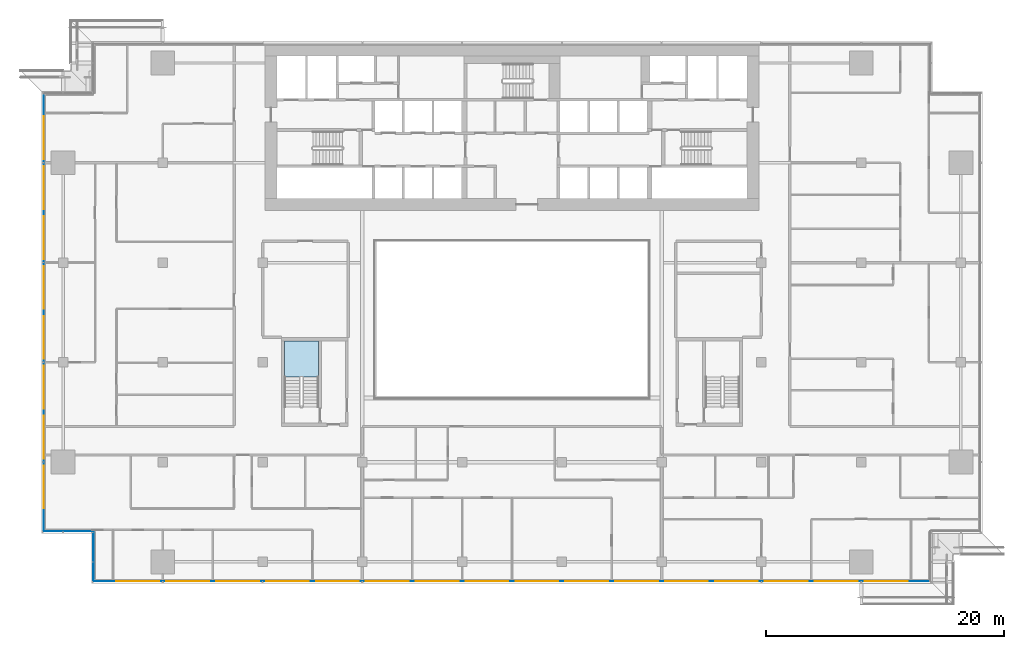
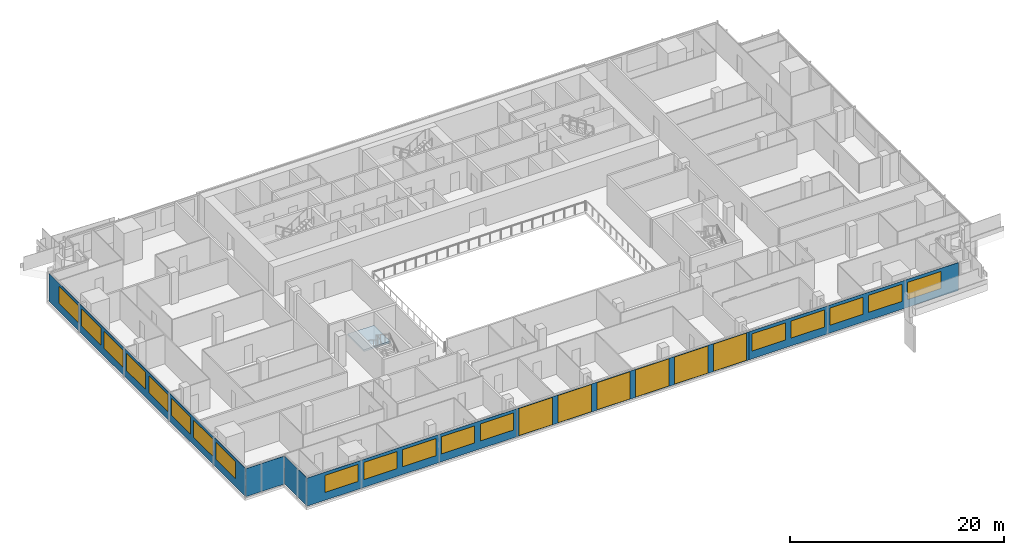
# One storey, part 16 of 30: 24 windows, 6 plates, 1 slab, 24 openings, 5 elements without a shape of their own.
"""IFC4 building model written with IfcOpenShell, lengths in metres."""

from ifc_helpers import new_model, si_unit, direction, frame, frame_2d, origin, place, context, subcontext, project, spatial, polyline, rectangle, outline, extrude, material, layer, layer_set, type_object, element, fill, aggregate, save


model = new_model("IFC4")

# Units and contexts
model_context = context("Model", 3, precision=1e-05, world=origin(), true_north=direction((0.0, 1.0)))
body_context = subcontext(model_context, "Body", "Model", "MODEL_VIEW")
ifc_project = project(units=[si_unit("LENGTHUNIT", "METRE"), si_unit("AREAUNIT", "SQUARE_METRE"), si_unit("VOLUMEUNIT", "CUBIC_METRE"), si_unit("PLANEANGLEUNIT", "RADIAN"), si_unit("MASSUNIT", "GRAM", prefix="KILO")], contexts=[model_context])

# Site, building, storey
site_placement = place(None, origin())
site = spatial("IfcSite", under=ifc_project, at=site_placement, CompositionType="ELEMENT")
building_placement = place(site_placement, origin())
building = spatial("IfcBuilding", under=site, at=building_placement, Name="Saffron Gate Tower", CompositionType="ELEMENT")
storey_placement = place(building_placement, frame((0.0, 0.0, 127.64990234375)))
storey = spatial("IfcBuildingStorey", under=building, at=storey_placement, Name="L30", CompositionType="ELEMENT", Elevation=127.64990234375)

# Curtain wall, plates, openings, windows
ifc_material_1 = material(Name="Aluminium, bronze anodised", Category="aluminium")
curtain_wall_type_1 = type_object("IfcCurtainWallType", Name="CWS1 curtain wall front facade", PredefinedType="NOTDEFINED", material=ifc_material_1)
curtain_wall_1_placement = place(storey_placement, origin())
curtain_wall_1 = element("IfcCurtainWall", 1, at=curtain_wall_1_placement, inside=storey, type_object=curtain_wall_type_1, Name="CWS1 run 1", PredefinedType="NOTDEFINED")
ifc_material_2 = material(Name="Clear low-iron laminated glass", Category="glass")
ifc_layer_1 = layer(ifc_material_2, 0.028076171875)
ifc_layer_set_1 = layer_set([ifc_layer_1], Name="CWS1 clear glass")
plate_type_1 = type_object("IfcPlateType", Name="CWS1 clear glass", PredefinedType="CURTAIN_PANEL", material=ifc_layer_set_1)
plate_1_placement = place(storey_placement, frame((75.030029296875, 30.174072265625, 0.0), z_axis=(0.0, 0.0, 1.0), x_axis=(1.0, 0.0, 0.0)))
plate_1 = element("IfcPlate", 2, at=plate_1_placement, type_object=plate_type_1, Name="CWS1 clear glass panel", PredefinedType="CURTAIN_PANEL", context=body_context, shape_type="SweptSolid", body=[
    extrude(rectangle(XDim=25.139892578125, YDim=0.028076171875, at=frame_2d((12.56982421875, 0.0))), origin(), (0.0, 0.0, 1.0), 3.2001953125),
])
opening_1_placement = place(plate_1_placement, frame((0.27001953125, 0.0, 0.050048828125)))
opening_1 = element("IfcOpeningElement", 3, at=opening_1_placement, cuts=plate_1, Name="Opening WA", PredefinedType="OPENING", context=body_context, shape_type="SweptSolid", body=[
    extrude(rectangle(XDim=3.60009765625, YDim=3.10009765625, at=frame_2d((1.800048828125, 1.550048828125))), frame((0.0, 0.02392578125, 0.0), z_axis=(0.0, -1.0, 0.0), x_axis=(1.0, 0.0, 0.0)), (0.0, 0.0, 1.0), 0.048095703125),
])
opening_2_placement = place(plate_1_placement, frame((4.469970703125, 0.0, 0.050048828125)))
opening_2 = element("IfcOpeningElement", 4, at=opening_2_placement, cuts=plate_1, Name="Opening WA", PredefinedType="OPENING", context=body_context, shape_type="SweptSolid", body=[
    extrude(rectangle(XDim=3.60009765625, YDim=3.10009765625, at=frame_2d((1.800048828125, 1.550048828125))), frame((0.0, 0.02392578125, 0.0), z_axis=(0.0, -1.0, 0.0), x_axis=(1.0, 0.0, 0.0)), (0.0, 0.0, 1.0), 0.048095703125),
])
opening_3_placement = place(plate_1_placement, frame((8.669921875, 0.0, 0.050048828125)))
opening_3 = element("IfcOpeningElement", 5, at=opening_3_placement, cuts=plate_1, Name="Opening WA", PredefinedType="OPENING", context=body_context, shape_type="SweptSolid", body=[
    extrude(rectangle(XDim=3.60009765625, YDim=3.10009765625, at=frame_2d((1.800048828125, 1.550048828125))), frame((0.0, 0.02392578125, 0.0), z_axis=(0.0, -1.0, 0.0), x_axis=(1.0, 0.0, 0.0)), (0.0, 0.0, 1.0), 0.048095703125),
])
opening_4_placement = place(plate_1_placement, frame((12.8701171875, 0.0, 0.050048828125)))
opening_4 = element("IfcOpeningElement", 6, at=opening_4_placement, cuts=plate_1, Name="Opening WA", PredefinedType="OPENING", context=body_context, shape_type="SweptSolid", body=[
    extrude(rectangle(XDim=3.60009765625, YDim=3.10009765625, at=frame_2d((1.800048828125, 1.550048828125))), frame((0.0, 0.02392578125, 0.0), z_axis=(0.0, -1.0, 0.0), x_axis=(1.0, 0.0, 0.0)), (0.0, 0.0, 1.0), 0.048095703125),
])
opening_5_placement = place(plate_1_placement, frame((17.070068359375, 0.0, 0.050048828125)))
opening_5 = element("IfcOpeningElement", 7, at=opening_5_placement, cuts=plate_1, Name="Opening WA", PredefinedType="OPENING", context=body_context, shape_type="SweptSolid", body=[
    extrude(rectangle(XDim=3.60009765625, YDim=3.10009765625, at=frame_2d((1.800048828125, 1.550048828125))), frame((0.0, 0.02392578125, 0.0), z_axis=(0.0, -1.0, 0.0), x_axis=(1.0, 0.0, 0.0)), (0.0, 0.0, 1.0), 0.048095703125),
])
opening_6_placement = place(plate_1_placement, frame((21.27001953125, 0.0, 0.050048828125)))
opening_6 = element("IfcOpeningElement", 8, at=opening_6_placement, cuts=plate_1, Name="Opening WA", PredefinedType="OPENING", context=body_context, shape_type="SweptSolid", body=[
    extrude(rectangle(XDim=3.60009765625, YDim=3.10009765625, at=frame_2d((1.800048828125, 1.550048828125))), frame((0.0, 0.02392578125, 0.0), z_axis=(0.0, -1.0, 0.0), x_axis=(1.0, 0.0, 0.0)), (0.0, 0.0, 1.0), 0.048095703125),
])
ifc_material_3 = material(Name="Clear low-iron laminated glass in bronze frame", Category="glass")
ifc_layer_2 = layer(ifc_material_3, 0.06005859375)
ifc_layer_set_2 = layer_set([ifc_layer_2], Name="WA operable atrium unit 3600x3100")
window_type_1 = type_object("IfcWindowType", Name="WA operable atrium unit 3600x3100", PartitioningType="DOUBLE_PANEL_HORIZONTAL", PredefinedType="WINDOW", material=ifc_layer_set_2)
window_1_placement = place(opening_1_placement, origin())
window_1 = element("IfcWindow", 9, at=window_1_placement, type_object=window_type_1, Name="WA operable atrium unit", OverallHeight=3.10009765625, OverallWidth=3.60009765625, PartitioningType="SINGLE_PANEL", PredefinedType="WINDOW", context=body_context, shape_type="SweptSolid", body=[
    extrude(rectangle(XDim=3.60009765625, YDim=3.10009765625, at=frame_2d((1.800048828125, 1.550048828125))), frame((0.0, 0.013671875, 0.0), z_axis=(0.0, -1.0, 0.0), x_axis=(1.0, 0.0, 0.0)), (0.0, 0.0, 1.0), 0.027587890625),
])
fill(opening_1, window_1)
window_2_placement = place(opening_2_placement, origin())
window_2 = element("IfcWindow", 10, at=window_2_placement, type_object=window_type_1, Name="WA operable atrium unit", OverallHeight=3.10009765625, OverallWidth=3.60009765625, PartitioningType="SINGLE_PANEL", PredefinedType="WINDOW", context=body_context, shape_type="SweptSolid", body=[
    extrude(rectangle(XDim=3.60009765625, YDim=3.10009765625, at=frame_2d((1.800048828125, 1.550048828125))), frame((0.0, 0.013671875, 0.0), z_axis=(0.0, -1.0, 0.0), x_axis=(1.0, 0.0, 0.0)), (0.0, 0.0, 1.0), 0.027587890625),
])
fill(opening_2, window_2)
window_3_placement = place(opening_3_placement, origin())
window_3 = element("IfcWindow", 11, at=window_3_placement, type_object=window_type_1, Name="WA operable atrium unit", OverallHeight=3.10009765625, OverallWidth=3.60009765625, PartitioningType="SINGLE_PANEL", PredefinedType="WINDOW", context=body_context, shape_type="SweptSolid", body=[
    extrude(rectangle(XDim=3.60009765625, YDim=3.10009765625, at=frame_2d((1.800048828125, 1.550048828125))), frame((0.0, 0.013671875, 0.0), z_axis=(0.0, -1.0, 0.0), x_axis=(1.0, 0.0, 0.0)), (0.0, 0.0, 1.0), 0.027587890625),
])
fill(opening_3, window_3)
window_4_placement = place(opening_4_placement, origin())
window_4 = element("IfcWindow", 12, at=window_4_placement, type_object=window_type_1, Name="WA operable atrium unit", OverallHeight=3.10009765625, OverallWidth=3.60009765625, PartitioningType="SINGLE_PANEL", PredefinedType="WINDOW", context=body_context, shape_type="SweptSolid", body=[
    extrude(rectangle(XDim=3.60009765625, YDim=3.10009765625, at=frame_2d((1.800048828125, 1.550048828125))), frame((0.0, 0.013671875, 0.0), z_axis=(0.0, -1.0, 0.0), x_axis=(1.0, 0.0, 0.0)), (0.0, 0.0, 1.0), 0.027587890625),
])
fill(opening_4, window_4)
window_5_placement = place(opening_5_placement, origin())
window_5 = element("IfcWindow", 13, at=window_5_placement, type_object=window_type_1, Name="WA operable atrium unit", OverallHeight=3.10009765625, OverallWidth=3.60009765625, PartitioningType="SINGLE_PANEL", PredefinedType="WINDOW", context=body_context, shape_type="SweptSolid", body=[
    extrude(rectangle(XDim=3.60009765625, YDim=3.10009765625, at=frame_2d((1.800048828125, 1.550048828125))), frame((0.0, 0.013671875, 0.0), z_axis=(0.0, -1.0, 0.0), x_axis=(1.0, 0.0, 0.0)), (0.0, 0.0, 1.0), 0.027587890625),
])
fill(opening_5, window_5)
window_6_placement = place(opening_6_placement, origin())
window_6 = element("IfcWindow", 14, at=window_6_placement, type_object=window_type_1, Name="WA operable atrium unit", OverallHeight=3.10009765625, OverallWidth=3.60009765625, PartitioningType="SINGLE_PANEL", PredefinedType="WINDOW", context=body_context, shape_type="SweptSolid", body=[
    extrude(rectangle(XDim=3.60009765625, YDim=3.10009765625, at=frame_2d((1.800048828125, 1.550048828125))), frame((0.0, 0.013671875, 0.0), z_axis=(0.0, -1.0, 0.0), x_axis=(1.0, 0.0, 0.0)), (0.0, 0.0, 1.0), 0.027587890625),
])
fill(opening_6, window_6)
ifc_material_4 = material(Name="Fritted bronze-tinted laminated glass", Category="glass")
ifc_layer_3 = layer(ifc_material_4, 0.028076171875)
ifc_layer_set_3 = layer_set([ifc_layer_3], Name="CWS1 fixed glass")
plate_type_2 = type_object("IfcPlateType", Name="CWS1 fixed glass", PredefinedType="CURTAIN_PANEL", material=ifc_layer_set_3)
plate_2_placement = place(storey_placement, frame((52.387939453125, 30.174072265625, 0.0), z_axis=(0.0, 0.0, 1.0), x_axis=(1.0, 0.0, 0.0)))
plate_2 = element("IfcPlate", 15, at=plate_2_placement, type_object=plate_type_2, Name="CWS1 glass panel", PredefinedType="CURTAIN_PANEL", context=body_context, shape_type="SweptSolid", body=[
    extrude(rectangle(XDim=22.64208984375, YDim=0.028076171875, at=frame_2d((11.321044921875, 0.0))), origin(), (0.0, 0.0, 1.0), 3.2001953125),
])
opening_7_placement = place(plate_2_placement, frame((1.912109375, 0.0, 0.89990234375)))
opening_7 = element("IfcOpeningElement", 16, at=opening_7_placement, cuts=plate_2, Name="Opening W1", PredefinedType="OPENING", context=body_context, shape_type="SweptSolid", body=[
    extrude(rectangle(XDim=3.60009765625, YDim=1.949951171875, at=frame_2d((1.800048828125, 0.97509765625))), frame((0.0, 0.02392578125, 0.0), z_axis=(0.0, -1.0, 0.0), x_axis=(1.0, 0.0, 0.0)), (0.0, 0.0, 1.0), 0.048095703125),
])
opening_8_placement = place(plate_2_placement, frame((6.112060546875, 0.0, 0.89990234375)))
opening_8 = element("IfcOpeningElement", 17, at=opening_8_placement, cuts=plate_2, Name="Opening W1", PredefinedType="OPENING", context=body_context, shape_type="SweptSolid", body=[
    extrude(rectangle(XDim=3.60009765625, YDim=1.949951171875, at=frame_2d((1.800048828125, 0.97509765625))), frame((0.0, 0.02392578125, 0.0), z_axis=(0.0, -1.0, 0.0), x_axis=(1.0, 0.0, 0.0)), (0.0, 0.0, 1.0), 0.048095703125),
])
opening_9_placement = place(plate_2_placement, frame((10.31201171875, 0.0, 0.89990234375)))
opening_9 = element("IfcOpeningElement", 18, at=opening_9_placement, cuts=plate_2, Name="Opening W1", PredefinedType="OPENING", context=body_context, shape_type="SweptSolid", body=[
    extrude(rectangle(XDim=3.60009765625, YDim=1.949951171875, at=frame_2d((1.800048828125, 0.97509765625))), frame((0.0, 0.02392578125, 0.0), z_axis=(0.0, -1.0, 0.0), x_axis=(1.0, 0.0, 0.0)), (0.0, 0.0, 1.0), 0.048095703125),
])
opening_10_placement = place(plate_2_placement, frame((14.511962890625, 0.0, 0.89990234375)))
opening_10 = element("IfcOpeningElement", 19, at=opening_10_placement, cuts=plate_2, Name="Opening W1", PredefinedType="OPENING", context=body_context, shape_type="SweptSolid", body=[
    extrude(rectangle(XDim=3.60009765625, YDim=1.949951171875, at=frame_2d((1.800048828125, 0.97509765625))), frame((0.0, 0.02392578125, 0.0), z_axis=(0.0, -1.0, 0.0), x_axis=(1.0, 0.0, 0.0)), (0.0, 0.0, 1.0), 0.048095703125),
])
opening_11_placement = place(plate_2_placement, frame((18.7119140625, 0.0, 0.89990234375)))
opening_11 = element("IfcOpeningElement", 20, at=opening_11_placement, cuts=plate_2, Name="Opening W1", PredefinedType="OPENING", context=body_context, shape_type="SweptSolid", body=[
    extrude(rectangle(XDim=3.60009765625, YDim=1.949951171875, at=frame_2d((1.800048828125, 0.97509765625))), frame((0.0, 0.02392578125, 0.0), z_axis=(0.0, -1.0, 0.0), x_axis=(1.0, 0.0, 0.0)), (0.0, 0.0, 1.0), 0.048095703125),
])
ifc_material_5 = material(Name="Fritted bronze-tinted laminated glass in bronze frame", Category="glass")
ifc_layer_4 = layer(ifc_material_5, 0.06005859375)
ifc_layer_set_4 = layer_set([ifc_layer_4], Name="W1 operable panel 3600x1950")
window_type_2 = type_object("IfcWindowType", Name="W1 operable panel 3600x1950", PartitioningType="DOUBLE_PANEL_HORIZONTAL", PredefinedType="WINDOW", material=ifc_layer_set_4)
window_7_placement = place(opening_7_placement, origin())
window_7 = element("IfcWindow", 21, at=window_7_placement, type_object=window_type_2, Name="W1 operable panel", OverallHeight=1.949951171875, OverallWidth=3.60009765625, PartitioningType="SINGLE_PANEL", PredefinedType="WINDOW", context=body_context, shape_type="SweptSolid", body=[
    extrude(rectangle(XDim=3.60009765625, YDim=1.949951171875, at=frame_2d((1.800048828125, 0.97509765625))), frame((0.0, 0.013671875, 0.0), z_axis=(0.0, -1.0, 0.0), x_axis=(1.0, 0.0, 0.0)), (0.0, 0.0, 1.0), 0.027587890625),
])
fill(opening_7, window_7)
window_8_placement = place(opening_8_placement, origin())
window_8 = element("IfcWindow", 22, at=window_8_placement, type_object=window_type_2, Name="W1 operable panel", OverallHeight=1.949951171875, OverallWidth=3.60009765625, PartitioningType="SINGLE_PANEL", PredefinedType="WINDOW", context=body_context, shape_type="SweptSolid", body=[
    extrude(rectangle(XDim=3.60009765625, YDim=1.949951171875, at=frame_2d((1.800048828125, 0.97509765625))), frame((0.0, 0.013671875, 0.0), z_axis=(0.0, -1.0, 0.0), x_axis=(1.0, 0.0, 0.0)), (0.0, 0.0, 1.0), 0.027587890625),
])
fill(opening_8, window_8)
window_9_placement = place(opening_9_placement, origin())
window_9 = element("IfcWindow", 23, at=window_9_placement, type_object=window_type_2, Name="W1 operable panel", OverallHeight=1.949951171875, OverallWidth=3.60009765625, PartitioningType="SINGLE_PANEL", PredefinedType="WINDOW", context=body_context, shape_type="SweptSolid", body=[
    extrude(rectangle(XDim=3.60009765625, YDim=1.949951171875, at=frame_2d((1.800048828125, 0.97509765625))), frame((0.0, 0.013671875, 0.0), z_axis=(0.0, -1.0, 0.0), x_axis=(1.0, 0.0, 0.0)), (0.0, 0.0, 1.0), 0.027587890625),
])
fill(opening_9, window_9)
window_10_placement = place(opening_10_placement, origin())
window_10 = element("IfcWindow", 24, at=window_10_placement, type_object=window_type_2, Name="W1 operable panel", OverallHeight=1.949951171875, OverallWidth=3.60009765625, PartitioningType="SINGLE_PANEL", PredefinedType="WINDOW", context=body_context, shape_type="SweptSolid", body=[
    extrude(rectangle(XDim=3.60009765625, YDim=1.949951171875, at=frame_2d((1.800048828125, 0.97509765625))), frame((0.0, 0.013671875, 0.0), z_axis=(0.0, -1.0, 0.0), x_axis=(1.0, 0.0, 0.0)), (0.0, 0.0, 1.0), 0.027587890625),
])
fill(opening_10, window_10)
window_11_placement = place(opening_11_placement, origin())
window_11 = element("IfcWindow", 25, at=window_11_placement, type_object=window_type_2, Name="W1 operable panel", OverallHeight=1.949951171875, OverallWidth=3.60009765625, PartitioningType="SINGLE_PANEL", PredefinedType="WINDOW", context=body_context, shape_type="SweptSolid", body=[
    extrude(rectangle(XDim=3.60009765625, YDim=1.949951171875, at=frame_2d((1.800048828125, 0.97509765625))), frame((0.0, 0.013671875, 0.0), z_axis=(0.0, -1.0, 0.0), x_axis=(1.0, 0.0, 0.0)), (0.0, 0.0, 1.0), 0.027587890625),
])
fill(opening_11, window_11)
plate_3_placement = place(storey_placement, frame((100.169921875, 30.174072265625, 0.0), z_axis=(0.0, 0.0, 1.0), x_axis=(1.0, 0.0, 0.0)))
plate_3 = element("IfcPlate", 26, at=plate_3_placement, type_object=plate_type_2, Name="CWS1 glass panel", PredefinedType="CURTAIN_PANEL", context=body_context, shape_type="SweptSolid", body=[
    extrude(rectangle(XDim=22.64208984375, YDim=0.028076171875, at=frame_2d((11.321044921875, 0.0))), origin(), (0.0, 0.0, 1.0), 3.2001953125),
])
opening_12_placement = place(plate_3_placement, frame((0.330078125, 0.0, 0.89990234375)))
opening_12 = element("IfcOpeningElement", 27, at=opening_12_placement, cuts=plate_3, Name="Opening W1", PredefinedType="OPENING", context=body_context, shape_type="SweptSolid", body=[
    extrude(rectangle(XDim=3.60009765625, YDim=1.949951171875, at=frame_2d((1.800048828125, 0.97509765625))), frame((0.0, 0.02392578125, 0.0), z_axis=(0.0, -1.0, 0.0), x_axis=(1.0, 0.0, 0.0)), (0.0, 0.0, 1.0), 0.048095703125),
])
opening_13_placement = place(plate_3_placement, frame((4.530029296875, 0.0, 0.89990234375)))
opening_13 = element("IfcOpeningElement", 28, at=opening_13_placement, cuts=plate_3, Name="Opening W1", PredefinedType="OPENING", context=body_context, shape_type="SweptSolid", body=[
    extrude(rectangle(XDim=3.60009765625, YDim=1.949951171875, at=frame_2d((1.800048828125, 0.97509765625))), frame((0.0, 0.02392578125, 0.0), z_axis=(0.0, -1.0, 0.0), x_axis=(1.0, 0.0, 0.0)), (0.0, 0.0, 1.0), 0.048095703125),
])
opening_14_placement = place(plate_3_placement, frame((8.72998046875, 0.0, 0.89990234375)))
opening_14 = element("IfcOpeningElement", 29, at=opening_14_placement, cuts=plate_3, Name="Opening W1", PredefinedType="OPENING", context=body_context, shape_type="SweptSolid", body=[
    extrude(rectangle(XDim=3.60009765625, YDim=1.949951171875, at=frame_2d((1.800048828125, 0.97509765625))), frame((0.0, 0.02392578125, 0.0), z_axis=(0.0, -1.0, 0.0), x_axis=(1.0, 0.0, 0.0)), (0.0, 0.0, 1.0), 0.048095703125),
])
opening_15_placement = place(plate_3_placement, frame((12.929931640625, 0.0, 0.89990234375)))
opening_15 = element("IfcOpeningElement", 30, at=opening_15_placement, cuts=plate_3, Name="Opening W1", PredefinedType="OPENING", context=body_context, shape_type="SweptSolid", body=[
    extrude(rectangle(XDim=3.60009765625, YDim=1.949951171875, at=frame_2d((1.800048828125, 0.97509765625))), frame((0.0, 0.02392578125, 0.0), z_axis=(0.0, -1.0, 0.0), x_axis=(1.0, 0.0, 0.0)), (0.0, 0.0, 1.0), 0.048095703125),
])
opening_16_placement = place(plate_3_placement, frame((17.1298828125, 0.0, 0.89990234375)))
opening_16 = element("IfcOpeningElement", 31, at=opening_16_placement, cuts=plate_3, Name="Opening W1", PredefinedType="OPENING", context=body_context, shape_type="SweptSolid", body=[
    extrude(rectangle(XDim=3.60009765625, YDim=1.949951171875, at=frame_2d((1.800048828125, 0.97509765625))), frame((0.0, 0.02392578125, 0.0), z_axis=(0.0, -1.0, 0.0), x_axis=(1.0, 0.0, 0.0)), (0.0, 0.0, 1.0), 0.048095703125),
])
window_12_placement = place(opening_12_placement, origin())
window_12 = element("IfcWindow", 32, at=window_12_placement, type_object=window_type_2, Name="W1 operable panel", OverallHeight=1.949951171875, OverallWidth=3.60009765625, PartitioningType="SINGLE_PANEL", PredefinedType="WINDOW", context=body_context, shape_type="SweptSolid", body=[
    extrude(rectangle(XDim=3.60009765625, YDim=1.949951171875, at=frame_2d((1.800048828125, 0.97509765625))), frame((0.0, 0.013671875, 0.0), z_axis=(0.0, -1.0, 0.0), x_axis=(1.0, 0.0, 0.0)), (0.0, 0.0, 1.0), 0.027587890625),
])
fill(opening_12, window_12)
window_13_placement = place(opening_13_placement, origin())
window_13 = element("IfcWindow", 33, at=window_13_placement, type_object=window_type_2, Name="W1 operable panel", OverallHeight=1.949951171875, OverallWidth=3.60009765625, PartitioningType="SINGLE_PANEL", PredefinedType="WINDOW", context=body_context, shape_type="SweptSolid", body=[
    extrude(rectangle(XDim=3.60009765625, YDim=1.949951171875, at=frame_2d((1.800048828125, 0.97509765625))), frame((0.0, 0.013671875, 0.0), z_axis=(0.0, -1.0, 0.0), x_axis=(1.0, 0.0, 0.0)), (0.0, 0.0, 1.0), 0.027587890625),
])
fill(opening_13, window_13)
window_14_placement = place(opening_14_placement, origin())
window_14 = element("IfcWindow", 34, at=window_14_placement, type_object=window_type_2, Name="W1 operable panel", OverallHeight=1.949951171875, OverallWidth=3.60009765625, PartitioningType="SINGLE_PANEL", PredefinedType="WINDOW", context=body_context, shape_type="SweptSolid", body=[
    extrude(rectangle(XDim=3.60009765625, YDim=1.949951171875, at=frame_2d((1.800048828125, 0.97509765625))), frame((0.0, 0.013671875, 0.0), z_axis=(0.0, -1.0, 0.0), x_axis=(1.0, 0.0, 0.0)), (0.0, 0.0, 1.0), 0.027587890625),
])
fill(opening_14, window_14)
window_15_placement = place(opening_15_placement, origin())
window_15 = element("IfcWindow", 35, at=window_15_placement, type_object=window_type_2, Name="W1 operable panel", OverallHeight=1.949951171875, OverallWidth=3.60009765625, PartitioningType="SINGLE_PANEL", PredefinedType="WINDOW", context=body_context, shape_type="SweptSolid", body=[
    extrude(rectangle(XDim=3.60009765625, YDim=1.949951171875, at=frame_2d((1.800048828125, 0.97509765625))), frame((0.0, 0.013671875, 0.0), z_axis=(0.0, -1.0, 0.0), x_axis=(1.0, 0.0, 0.0)), (0.0, 0.0, 1.0), 0.027587890625),
])
fill(opening_15, window_15)
window_16_placement = place(opening_16_placement, origin())
window_16 = element("IfcWindow", 36, at=window_16_placement, type_object=window_type_2, Name="W1 operable panel", OverallHeight=1.949951171875, OverallWidth=3.60009765625, PartitioningType="SINGLE_PANEL", PredefinedType="WINDOW", context=body_context, shape_type="SweptSolid", body=[
    extrude(rectangle(XDim=3.60009765625, YDim=1.949951171875, at=frame_2d((1.800048828125, 0.97509765625))), frame((0.0, 0.013671875, 0.0), z_axis=(0.0, -1.0, 0.0), x_axis=(1.0, 0.0, 0.0)), (0.0, 0.0, 1.0), 0.027587890625),
])
fill(opening_16, window_16)
aggregate(curtain_wall_1, [plate_2, plate_3, plate_1, window_7, window_8, window_9, window_10, window_11, window_12, window_13, window_14, window_15, window_16, window_1, window_2, window_3, window_4, window_5, window_6])

# Curtain wall, plate, openings, windows
curtain_wall_type_2 = type_object("IfcCurtainWallType", Name="CWS2 curtain wall side facades", PredefinedType="NOTDEFINED", material=ifc_material_1)
curtain_wall_2_placement = place(storey_placement, origin())
curtain_wall_2 = element("IfcCurtainWall", 37, at=curtain_wall_2_placement, inside=storey, type_object=curtain_wall_type_2, Name="CWS2 run 10", PredefinedType="NOTDEFINED")
ifc_layer_5 = layer(ifc_material_4, 0.028076171875)
ifc_layer_set_5 = layer_set([ifc_layer_5], Name="CWS2 fixed glass")
plate_type_3 = type_object("IfcPlateType", Name="CWS2 fixed glass", PredefinedType="CURTAIN_PANEL", material=ifc_layer_set_5)
plate_4_placement = place(storey_placement, frame((48.174072265625, 71.2119140625, 0.0), z_axis=(0.0, 0.0, 1.0), x_axis=(0.0, -1.0, 0.0)))
plate_4 = element("IfcPlate", 38, at=plate_4_placement, type_object=plate_type_3, Name="CWS2 glass panel", PredefinedType="CURTAIN_PANEL", context=body_context, shape_type="SweptSolid", body=[
    extrude(rectangle(XDim=36.823974609375, YDim=0.028076171875, at=frame_2d((18.412109375, 0.0))), origin(), (0.0, 0.0, 1.0), 3.2001953125),
])
opening_17_placement = place(plate_4_placement, frame((1.912109375, 0.0, 0.89990234375)))
opening_17 = element("IfcOpeningElement", 39, at=opening_17_placement, cuts=plate_4, Name="Opening W1", PredefinedType="OPENING", context=body_context, shape_type="SweptSolid", body=[
    extrude(rectangle(XDim=3.60009765625, YDim=1.949951171875, at=frame_2d((1.800048828125, 0.97509765625))), frame((0.0, 0.02392578125, 0.0), z_axis=(0.0, -1.0, 0.0), x_axis=(1.0, 0.0, 0.0)), (0.0, 0.0, 1.0), 0.048095703125),
])
opening_18_placement = place(plate_4_placement, frame((6.112060546875, 0.0, 0.89990234375)))
opening_18 = element("IfcOpeningElement", 40, at=opening_18_placement, cuts=plate_4, Name="Opening W1", PredefinedType="OPENING", context=body_context, shape_type="SweptSolid", body=[
    extrude(rectangle(XDim=3.60009765625, YDim=1.949951171875, at=frame_2d((1.800048828125, 0.97509765625))), frame((0.0, 0.02392578125, 0.0), z_axis=(0.0, -1.0, 0.0), x_axis=(1.0, 0.0, 0.0)), (0.0, 0.0, 1.0), 0.048095703125),
])
opening_19_placement = place(plate_4_placement, frame((10.31201171875, 0.0, 0.89990234375)))
opening_19 = element("IfcOpeningElement", 41, at=opening_19_placement, cuts=plate_4, Name="Opening W1", PredefinedType="OPENING", context=body_context, shape_type="SweptSolid", body=[
    extrude(rectangle(XDim=3.60009765625, YDim=1.949951171875, at=frame_2d((1.800048828125, 0.97509765625))), frame((0.0, 0.02392578125, 0.0), z_axis=(0.0, -1.0, 0.0), x_axis=(1.0, 0.0, 0.0)), (0.0, 0.0, 1.0), 0.048095703125),
])
opening_20_placement = place(plate_4_placement, frame((14.511962890625, 0.0, 0.89990234375)))
opening_20 = element("IfcOpeningElement", 42, at=opening_20_placement, cuts=plate_4, Name="Opening W1", PredefinedType="OPENING", context=body_context, shape_type="SweptSolid", body=[
    extrude(rectangle(XDim=3.60009765625, YDim=1.949951171875, at=frame_2d((1.800048828125, 0.97509765625))), frame((0.0, 0.02392578125, 0.0), z_axis=(0.0, -1.0, 0.0), x_axis=(1.0, 0.0, 0.0)), (0.0, 0.0, 1.0), 0.048095703125),
])
opening_21_placement = place(plate_4_placement, frame((18.7119140625, 0.0, 0.89990234375)))
opening_21 = element("IfcOpeningElement", 43, at=opening_21_placement, cuts=plate_4, Name="Opening W1", PredefinedType="OPENING", context=body_context, shape_type="SweptSolid", body=[
    extrude(rectangle(XDim=3.60009765625, YDim=1.949951171875, at=frame_2d((1.800048828125, 0.97509765625))), frame((0.0, 0.02392578125, 0.0), z_axis=(0.0, -1.0, 0.0), x_axis=(1.0, 0.0, 0.0)), (0.0, 0.0, 1.0), 0.048095703125),
])
opening_22_placement = place(plate_4_placement, frame((22.912109375, 0.0, 0.89990234375)))
opening_22 = element("IfcOpeningElement", 44, at=opening_22_placement, cuts=plate_4, Name="Opening W1", PredefinedType="OPENING", context=body_context, shape_type="SweptSolid", body=[
    extrude(rectangle(XDim=3.60009765625, YDim=1.949951171875, at=frame_2d((1.800048828125, 0.97509765625))), frame((0.0, 0.02392578125, 0.0), z_axis=(0.0, -1.0, 0.0), x_axis=(1.0, 0.0, 0.0)), (0.0, 0.0, 1.0), 0.048095703125),
])
opening_23_placement = place(plate_4_placement, frame((27.112060546875, 0.0, 0.89990234375)))
opening_23 = element("IfcOpeningElement", 45, at=opening_23_placement, cuts=plate_4, Name="Opening W1", PredefinedType="OPENING", context=body_context, shape_type="SweptSolid", body=[
    extrude(rectangle(XDim=3.60009765625, YDim=1.949951171875, at=frame_2d((1.800048828125, 0.97509765625))), frame((0.0, 0.02392578125, 0.0), z_axis=(0.0, -1.0, 0.0), x_axis=(1.0, 0.0, 0.0)), (0.0, 0.0, 1.0), 0.048095703125),
])
opening_24_placement = place(plate_4_placement, frame((31.31201171875, 0.0, 0.89990234375)))
opening_24 = element("IfcOpeningElement", 46, at=opening_24_placement, cuts=plate_4, Name="Opening W1", PredefinedType="OPENING", context=body_context, shape_type="SweptSolid", body=[
    extrude(rectangle(XDim=3.60009765625, YDim=1.949951171875, at=frame_2d((1.800048828125, 0.97509765625))), frame((0.0, 0.02392578125, 0.0), z_axis=(0.0, -1.0, 0.0), x_axis=(1.0, 0.0, 0.0)), (0.0, 0.0, 1.0), 0.048095703125),
])
window_17_placement = place(opening_17_placement, origin())
window_17 = element("IfcWindow", 47, at=window_17_placement, type_object=window_type_2, Name="W1 operable panel", OverallHeight=1.949951171875, OverallWidth=3.60009765625, PartitioningType="SINGLE_PANEL", PredefinedType="WINDOW", context=body_context, shape_type="SweptSolid", body=[
    extrude(rectangle(XDim=3.60009765625, YDim=1.949951171875, at=frame_2d((1.800048828125, 0.97509765625))), frame((0.0, 0.013671875, 0.0), z_axis=(0.0, -1.0, 0.0), x_axis=(1.0, 0.0, 0.0)), (0.0, 0.0, 1.0), 0.027587890625),
])
fill(opening_17, window_17)
window_18_placement = place(opening_18_placement, origin())
window_18 = element("IfcWindow", 48, at=window_18_placement, type_object=window_type_2, Name="W1 operable panel", OverallHeight=1.949951171875, OverallWidth=3.60009765625, PartitioningType="SINGLE_PANEL", PredefinedType="WINDOW", context=body_context, shape_type="SweptSolid", body=[
    extrude(rectangle(XDim=3.60009765625, YDim=1.949951171875, at=frame_2d((1.800048828125, 0.97509765625))), frame((0.0, 0.013671875, 0.0), z_axis=(0.0, -1.0, 0.0), x_axis=(1.0, 0.0, 0.0)), (0.0, 0.0, 1.0), 0.027587890625),
])
fill(opening_18, window_18)
window_19_placement = place(opening_19_placement, origin())
window_19 = element("IfcWindow", 49, at=window_19_placement, type_object=window_type_2, Name="W1 operable panel", OverallHeight=1.949951171875, OverallWidth=3.60009765625, PartitioningType="SINGLE_PANEL", PredefinedType="WINDOW", context=body_context, shape_type="SweptSolid", body=[
    extrude(rectangle(XDim=3.60009765625, YDim=1.949951171875, at=frame_2d((1.800048828125, 0.97509765625))), frame((0.0, 0.013671875, 0.0), z_axis=(0.0, -1.0, 0.0), x_axis=(1.0, 0.0, 0.0)), (0.0, 0.0, 1.0), 0.027587890625),
])
fill(opening_19, window_19)
window_20_placement = place(opening_20_placement, origin())
window_20 = element("IfcWindow", 50, at=window_20_placement, type_object=window_type_2, Name="W1 operable panel", OverallHeight=1.949951171875, OverallWidth=3.60009765625, PartitioningType="SINGLE_PANEL", PredefinedType="WINDOW", context=body_context, shape_type="SweptSolid", body=[
    extrude(rectangle(XDim=3.60009765625, YDim=1.949951171875, at=frame_2d((1.800048828125, 0.97509765625))), frame((0.0, 0.013671875, 0.0), z_axis=(0.0, -1.0, 0.0), x_axis=(1.0, 0.0, 0.0)), (0.0, 0.0, 1.0), 0.027587890625),
])
fill(opening_20, window_20)
window_21_placement = place(opening_21_placement, origin())
window_21 = element("IfcWindow", 51, at=window_21_placement, type_object=window_type_2, Name="W1 operable panel", OverallHeight=1.949951171875, OverallWidth=3.60009765625, PartitioningType="SINGLE_PANEL", PredefinedType="WINDOW", context=body_context, shape_type="SweptSolid", body=[
    extrude(rectangle(XDim=3.60009765625, YDim=1.949951171875, at=frame_2d((1.800048828125, 0.97509765625))), frame((0.0, 0.013671875, 0.0), z_axis=(0.0, -1.0, 0.0), x_axis=(1.0, 0.0, 0.0)), (0.0, 0.0, 1.0), 0.027587890625),
])
fill(opening_21, window_21)
window_22_placement = place(opening_22_placement, origin())
window_22 = element("IfcWindow", 52, at=window_22_placement, type_object=window_type_2, Name="W1 operable panel", OverallHeight=1.949951171875, OverallWidth=3.60009765625, PartitioningType="SINGLE_PANEL", PredefinedType="WINDOW", context=body_context, shape_type="SweptSolid", body=[
    extrude(rectangle(XDim=3.60009765625, YDim=1.949951171875, at=frame_2d((1.800048828125, 0.97509765625))), frame((0.0, 0.013671875, 0.0), z_axis=(0.0, -1.0, 0.0), x_axis=(1.0, 0.0, 0.0)), (0.0, 0.0, 1.0), 0.027587890625),
])
fill(opening_22, window_22)
window_23_placement = place(opening_23_placement, origin())
window_23 = element("IfcWindow", 53, at=window_23_placement, type_object=window_type_2, Name="W1 operable panel", OverallHeight=1.949951171875, OverallWidth=3.60009765625, PartitioningType="SINGLE_PANEL", PredefinedType="WINDOW", context=body_context, shape_type="SweptSolid", body=[
    extrude(rectangle(XDim=3.60009765625, YDim=1.949951171875, at=frame_2d((1.800048828125, 0.97509765625))), frame((0.0, 0.013671875, 0.0), z_axis=(0.0, -1.0, 0.0), x_axis=(1.0, 0.0, 0.0)), (0.0, 0.0, 1.0), 0.027587890625),
])
fill(opening_23, window_23)
window_24_placement = place(opening_24_placement, origin())
window_24 = element("IfcWindow", 54, at=window_24_placement, type_object=window_type_2, Name="W1 operable panel", OverallHeight=1.949951171875, OverallWidth=3.60009765625, PartitioningType="SINGLE_PANEL", PredefinedType="WINDOW", context=body_context, shape_type="SweptSolid", body=[
    extrude(rectangle(XDim=3.60009765625, YDim=1.949951171875, at=frame_2d((1.800048828125, 0.97509765625))), frame((0.0, 0.013671875, 0.0), z_axis=(0.0, -1.0, 0.0), x_axis=(1.0, 0.0, 0.0)), (0.0, 0.0, 1.0), 0.027587890625),
])
fill(opening_24, window_24)
aggregate(curtain_wall_2, [plate_4, window_17, window_18, window_19, window_20, window_21, window_22, window_23, window_24])

# Curtain wall, plate
curtain_wall_type_3 = type_object("IfcCurtainWallType", Name="CWS4 curtain wall corner returns", PredefinedType="NOTDEFINED", material=ifc_material_1)
curtain_wall_3_placement = place(storey_placement, origin())
curtain_wall_3 = element("IfcCurtainWall", 55, at=curtain_wall_3_placement, inside=storey, type_object=curtain_wall_type_3, Name="CWS4 run 11", PredefinedType="NOTDEFINED")
ifc_layer_6 = layer(ifc_material_4, 0.028076171875)
ifc_layer_set_6 = layer_set([ifc_layer_6], Name="CWS4 fixed glass")
plate_type_4 = type_object("IfcPlateType", Name="CWS4 fixed glass", PredefinedType="CURTAIN_PANEL", material=ifc_layer_set_6)
plate_5_placement = place(storey_placement, frame((48.18798828125, 34.3740234375, 0.0), z_axis=(0.0, 0.0, 1.0), x_axis=(1.0, 0.0, 0.0)))
plate_5 = element("IfcPlate", 56, at=plate_5_placement, type_object=plate_type_4, Name="CWS4 glass panel", PredefinedType="CURTAIN_PANEL", context=body_context, shape_type="SweptSolid", body=[
    extrude(rectangle(XDim=4.172119140625, YDim=0.028076171875, at=frame_2d((2.0859375, 0.0))), origin(), (0.0, 0.0, 1.0), 3.2001953125),
])
aggregate(curtain_wall_3, [plate_5])

curtain_wall_4_placement = place(storey_placement, origin())
curtain_wall_4 = element("IfcCurtainWall", 57, at=curtain_wall_4_placement, inside=storey, type_object=curtain_wall_type_3, Name="CWS4 run 12", PredefinedType="NOTDEFINED")
plate_6_placement = place(storey_placement, frame((52.3740234375, 34.360107421875, 0.0), z_axis=(0.0, 0.0, 1.0), x_axis=(0.0, -1.0, 0.0)))
plate_6 = element("IfcPlate", 58, at=plate_6_placement, type_object=plate_type_4, Name="CWS4 glass panel", PredefinedType="CURTAIN_PANEL", context=body_context, shape_type="SweptSolid", body=[
    extrude(rectangle(XDim=4.172119140625, YDim=0.028076171875, at=frame_2d((2.0859375, 0.0))), origin(), (0.0, 0.0, 1.0), 3.2001953125),
])
aggregate(curtain_wall_4, [plate_6])

# Stair, slab
ifc_material_6 = material(Name="Concrete C40", Category="concrete")
stair_type = type_object("IfcStairType", Name="ST7 Stair 1350 wide, 20 risers of 180", PredefinedType="HALF_TURN_STAIR", material=ifc_material_6)
stair_placement = place(storey_placement, origin())
stair = element("IfcStair", 59, at=stair_placement, inside=storey, type_object=stair_type, Name="L30 Exit stair D", PredefinedType="HALF_TURN_STAIR")
ifc_layer_7 = layer(ifc_material_6, 0.199951171875)
ifc_layer_set_7 = layer_set([ifc_layer_7], Name="SL1 Stair landing 200")
slab_type = type_object("IfcSlabType", Name="SL1 Stair landing 200", PredefinedType="LANDING", material=ifc_layer_set_7)
slab_placement = place(storey_placement, frame((0.0, 0.0, 1.60009765625)))
slab = element("IfcSlab", 60, at=slab_placement, type_object=slab_type, Name="ST-D landing 1", PredefinedType="LANDING", context=body_context, shape_type="SweptSolid", body=[
    extrude(outline(polyline([(71.300048828125, 47.3701171875), (71.300048828125, 50.39990234375), (68.449951171875, 50.39990234375), (68.449951171875, 47.3701171875), (71.300048828125, 47.3701171875)])), origin(), (0.0, 0.0, 1.0), 0.199951171875),
])
aggregate(stair, [slab])

save(model, "model.ifc")
